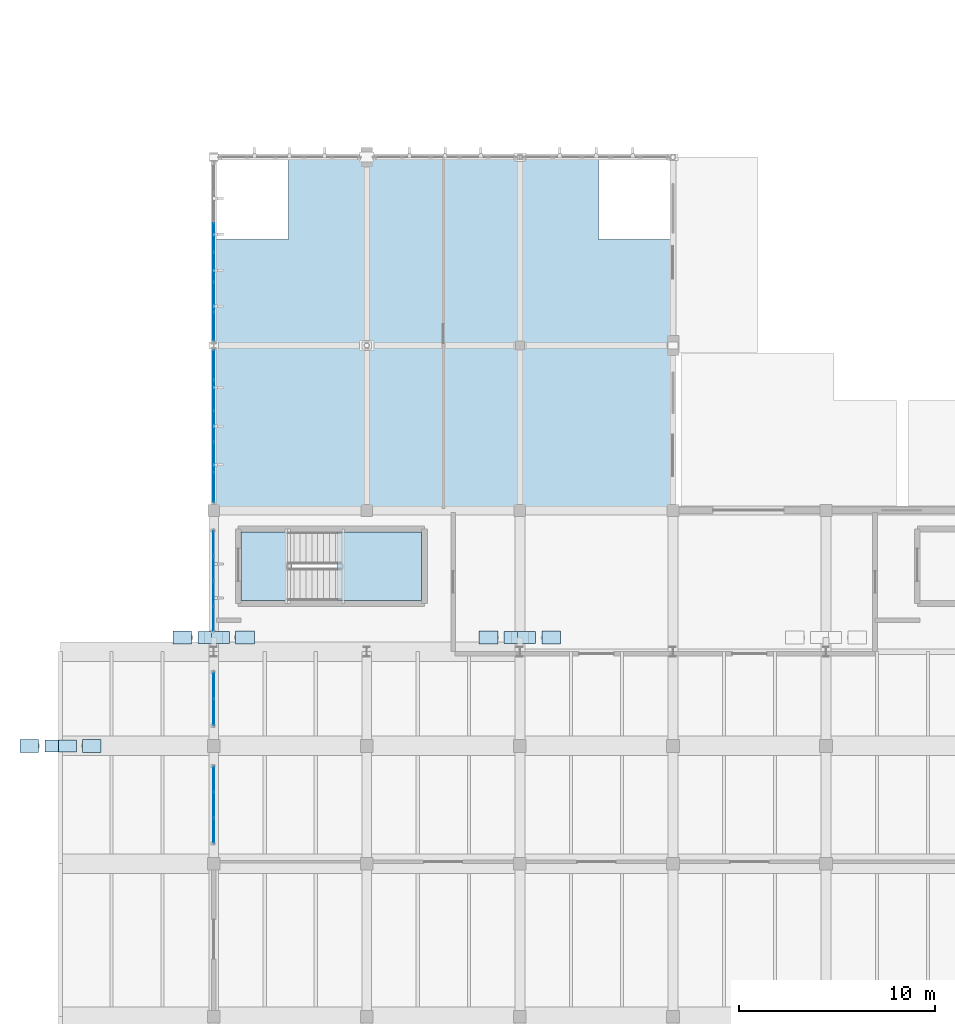
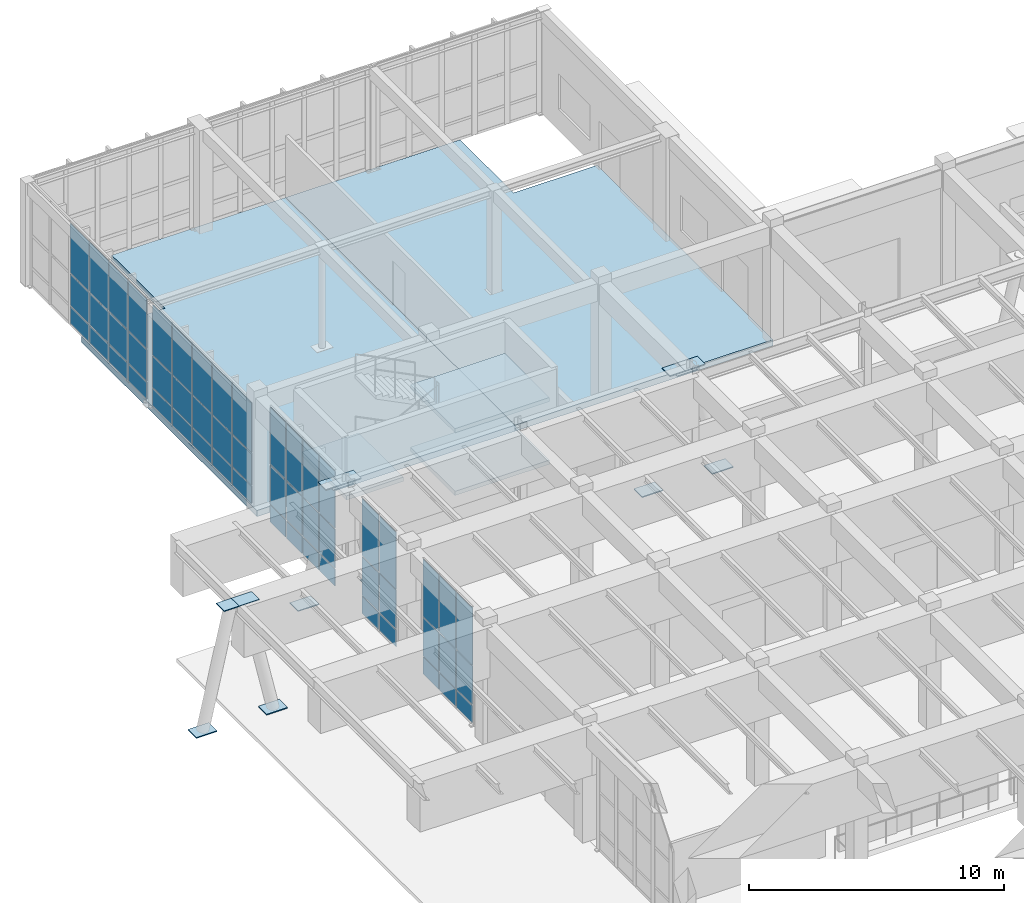
# One storey, part 66 of 110: 68 plates, 5 slabs, 6 elements without a shape of their own.
"""IFC4 building model written with IfcOpenShell, lengths in metres."""

import ifcopenshell
import ifcopenshell.guid

model = None  # the IFC model being written
_history = None  # IfcOwnerHistory: only IFC2X3 demands one
_inside = {}  # id of a spatial element -> (the spatial element, [elements in it])
_under = {}  # id of a project, library or spatial element -> (it, [spatial elements below it])
_declared = {}  # id of a project -> (the project, [libraries it declares])
_typed = {}  # id of a type object -> (the type object, [elements of that type])
_made_of = {}  # id of a material, layer set ... -> (it, [elements and type objects made of it])


def new_model(schema):
    """Start an empty IFC model of exactly this schema.

    Asked for "IFC4X3", IfcOpenShell would pick the latest addendum, in which some entities
    have other attributes; the version numbers below select the first issue.
    IFC2X3 requires an IfcOwnerHistory on every rooted entity: one is made here for all.
    """
    global model, _history
    if schema == "IFC4X3":
        model = ifcopenshell.file(schema_version=(4, 3, 0, 0))
    else:
        model = ifcopenshell.file(schema=schema)
    _inside.clear()
    _under.clear()
    _declared.clear()
    _typed.clear()
    _made_of.clear()
    _history = None
    if model.schema == "IFC2X3":
        org = make("IfcOrganization", Name="unknown")
        user = make(
            "IfcPersonAndOrganization",
            ThePerson=make("IfcPerson", FamilyName="unknown"),
            TheOrganization=org,
        )
        app = make(
            "IfcApplication",
            ApplicationDeveloper=org,
            Version="unknown",
            ApplicationFullName="unknown",
            ApplicationIdentifier="unknown",
        )
        _history = make(
            "IfcOwnerHistory",
            OwningUser=user,
            OwningApplication=app,
            ChangeAction="ADDED",
            CreationDate=0,
        )
    return model


def make(cls, **values):
    """One entity of the class cls with the attributes given. An attribute that is None is left unset."""
    return model.create_entity(
        cls, **{name: value for name, value in values.items() if value is not None}
    )


def rooted(cls, **values):
    """An entity with a GlobalId (a new one), such as an element, a storey or a relation."""
    return make(cls, GlobalId=ifcopenshell.guid.new(), OwnerHistory=_history, **values)


def si_unit(unit_type, name, prefix=None):
    """IfcSIUnit, for example si_unit("LENGTHUNIT", "METRE", prefix="MILLI")."""
    return make("IfcSIUnit", UnitType=unit_type, Prefix=prefix, Name=name)


def assignment(units):
    """IfcUnitAssignment: the units of a project."""
    return None if units is None else make("IfcUnitAssignment", Units=units)


def point(xyz):
    """IfcCartesianPoint."""
    return None if xyz is None else make("IfcCartesianPoint", Coordinates=xyz)


def direction(xyz):
    """IfcDirection."""
    return None if xyz is None else make("IfcDirection", DirectionRatios=xyz)


def frame(location, z_axis=None, x_axis=None):
    """IfcAxis2Placement3D, a coordinate frame: its origin and axes. An axis left out is left unset."""
    return make(
        "IfcAxis2Placement3D",
        Location=point(location),
        Axis=direction(z_axis),
        RefDirection=direction(x_axis),
    )


def frame_2d(location, x_axis=None):
    """IfcAxis2Placement2D, a coordinate frame in the plane: its origin and x axis."""
    return make(
        "IfcAxis2Placement2D", Location=point(location), RefDirection=direction(x_axis)
    )


def origin():
    """The frame at (0, 0, 0) with its axes left unset."""
    return frame((0.0, 0.0, 0.0))


def origin_2d():
    """The frame at (0, 0) in the plane with its x axis left unset."""
    return frame_2d((0.0, 0.0))


def place(relative_to, where):
    """IfcLocalPlacement: puts the frame where relative to a parent placement (None: the world)."""
    return make(
        "IfcLocalPlacement", PlacementRelTo=relative_to, RelativePlacement=where
    )


def context(
    kind, dimensions, precision=None, world=None, true_north=None, identifier=None
):
    """IfcGeometricRepresentationContext, for example the 3D "Model" context."""
    return make(
        "IfcGeometricRepresentationContext",
        ContextIdentifier=identifier,
        ContextType=kind,
        CoordinateSpaceDimension=dimensions,
        Precision=precision,
        WorldCoordinateSystem=world,
        TrueNorth=true_north,
    )


def subcontext(parent, identifier, kind, view, scale=None):
    """IfcGeometricRepresentationSubContext, for example "Body" below "Model"."""
    return make(
        "IfcGeometricRepresentationSubContext",
        ContextIdentifier=identifier,
        ContextType=kind,
        ParentContext=parent,
        TargetScale=scale,
        TargetView=view,
    )


def project(units=None, contexts=None):
    """IfcProject with its units and contexts."""
    return rooted(
        "IfcProject",
        Name="project",
        RepresentationContexts=contexts,
        UnitsInContext=assignment(units),
    )


def spatial(cls, under=None, at=None, **own):
    """A site, building, storey or space (cls), placed at a placement, below another one or the project."""
    s = rooted(cls, ObjectPlacement=at, **own)
    if under is not None:
        _under.setdefault(under.id(), (under, []))[1].append(s)
    return s


def polyline(points):
    """IfcPolyline through the points."""
    return make("IfcPolyline", Points=[point(p) for p in points])


def profile(cls, at=None, kind="AREA", **sizes):
    """A parametric profile (cls). Its sizes go by their IFC names, for example OverallWidth=200.0."""
    return make(cls, ProfileType=kind, Position=at, **sizes)


def rectangle(**sizes):
    """IfcRectangleProfileDef."""
    return profile("IfcRectangleProfileDef", **sizes)


def outline(outer, holes=None, kind="AREA"):
    """IfcArbitraryClosedProfileDef: a profile drawn as a closed curve; with holes, ...WithVoids."""
    if holes is None:
        return make("IfcArbitraryClosedProfileDef", ProfileType=kind, OuterCurve=outer)
    return make(
        "IfcArbitraryProfileDefWithVoids",
        ProfileType=kind,
        OuterCurve=outer,
        InnerCurves=holes,
    )


def extrude(swept, where, along, depth):
    """IfcExtrudedAreaSolid: the profile swept, set in the frame where, extruded along a direction by depth."""
    return make(
        "IfcExtrudedAreaSolid",
        SweptArea=swept,
        Position=where,
        ExtrudedDirection=direction(along),
        Depth=depth,
    )


def shape(context_of_items, identifier, shape_type, items):
    """IfcShapeRepresentation: the items that make up one representation, for example the "Body"."""
    return make(
        "IfcShapeRepresentation",
        ContextOfItems=context_of_items,
        RepresentationIdentifier=identifier,
        RepresentationType=shape_type,
        Items=items,
    )


def material(Name=None, Category=None):
    """IfcMaterial."""
    return make("IfcMaterial", Name=Name, Category=Category)


def layer(
    of_material, thickness, ventilated=None, Name=None, Category=None, Priority=None
):
    """IfcMaterialLayer: one layer of a wall or slab, of a material (None: an air gap)."""
    return make(
        "IfcMaterialLayer",
        Material=of_material,
        LayerThickness=thickness,
        IsVentilated=ventilated,
        Name=Name,
        Category=Category,
        Priority=Priority,
    )


def layer_set(layers, Name=None):
    """IfcMaterialLayerSet."""
    return make("IfcMaterialLayerSet", MaterialLayers=layers, LayerSetName=Name)


def made_of(thing, what):
    """Note that an element or type object is made of a material, layer set ...; save() writes the relation."""
    if what is not None:
        _made_of.setdefault(what.id(), (what, []))[1].append(thing)
    return thing


def type_object(cls, material=None, **own):
    """A type object (cls), such as IfcWallType, which elements share."""
    return made_of(rooted(cls, **own), material)


def element(
    cls,
    number,
    at=None,
    inside=None,
    cuts=None,
    type_object=None,
    material=None,
    context=None,
    identifier="Body",
    shape_type=None,
    held_by="IfcProductDefinitionShape",
    body=None,
    shapes=None,
    **own,
):
    """One element of the class cls, such as IfcWall. Its Tag is "e" and its number.

    at: its placement. inside: the storey or other place that contains it. cuts: it is an
    opening in that element (IfcRelVoidsElement). A single representation is given by context,
    identifier, shape_type and body (its items); several are given by shapes. held_by: the class
    of the entity that holds the representations. save() writes the other relations.
    """
    e = rooted(cls, Tag="e%d" % number, ObjectPlacement=at, **own)
    if body is not None:
        shapes = [shape(context, identifier, shape_type, body)]
    if shapes is not None:
        e.Representation = make(held_by, Representations=shapes)
    if inside is not None:
        _inside.setdefault(inside.id(), (inside, []))[1].append(e)
    if cuts is not None:
        rooted(
            "IfcRelVoidsElement", RelatingBuildingElement=cuts, RelatedOpeningElement=e
        )
    if type_object is not None:
        _typed.setdefault(type_object.id(), (type_object, []))[1].append(e)
    return made_of(e, material)


def aggregate(whole, parts):
    """IfcRelAggregates: a whole, such as a stair, and the parts it consists of."""
    return rooted("IfcRelAggregates", RelatingObject=whole, RelatedObjects=parts)


def save(model, path):
    """Write the relations noted so far, then the file.

    IfcRelAggregates (storeys below a building ...), IfcRelContainedInSpatialStructure (elements
    in a storey), IfcRelDefinesByType, IfcRelAssociatesMaterial and IfcRelDeclares: one each for
    every whole, place, type object, material and project.
    """
    for whole, parts in _under.values():
        aggregate(whole, parts)
    for where, things in _inside.values():
        rooted(
            "IfcRelContainedInSpatialStructure",
            RelatedElements=things,
            RelatingStructure=where,
        )
    for kind, things in _typed.values():
        rooted("IfcRelDefinesByType", RelatedObjects=things, RelatingType=kind)
    for what, things in _made_of.values():
        rooted("IfcRelAssociatesMaterial", RelatedObjects=things, RelatingMaterial=what)
    for by, libraries in _declared.values():
        rooted("IfcRelDeclares", RelatingContext=by, RelatedDefinitions=libraries)
    model.write(path)


model = new_model("IFC4")

# Units and contexts
model_context = context("Model", 3, precision=1e-05, world=origin(), true_north=direction((0.0, 1.0)))
body_context = subcontext(model_context, "Body", "Model", "MODEL_VIEW")
ifc_project = project(units=[si_unit("LENGTHUNIT", "METRE"), si_unit("AREAUNIT", "SQUARE_METRE"), si_unit("VOLUMEUNIT", "CUBIC_METRE"), si_unit("PLANEANGLEUNIT", "RADIAN"), si_unit("MASSUNIT", "GRAM", prefix="KILO")], contexts=[model_context])

# Site, building, storey
site_placement = place(None, origin())
site = spatial("IfcSite", under=ifc_project, at=site_placement, CompositionType="ELEMENT")
building_placement = place(site_placement, origin())
building = spatial("IfcBuilding", under=site, at=building_placement, Name="Tizgana Railside Sports Hall", CompositionType="ELEMENT")
storey_placement = place(building_placement, origin())
storey = spatial("IfcBuildingStorey", under=building, at=storey_placement, Name="L00", CompositionType="ELEMENT", Elevation=0.0)

# Stair, slabs
ifc_material_1 = material(Name="Concrete C35/45", Category="concrete")
stair_type = type_object("IfcStairType", Name="Spectator Aisle Stair 1400", PredefinedType="HALF_TURN_STAIR", material=ifc_material_1)
stair_placement = place(storey_placement, origin())
stair = element("IfcStair", 1, at=stair_placement, inside=storey, type_object=stair_type, Name="L00 Core Stair ST-07", PredefinedType="HALF_TURN_STAIR")
ifc_layer_1 = layer(ifc_material_1, 0.199951171875, Name="Concrete C35/45")
ifc_layer_set_1 = layer_set([ifc_layer_1], Name="Concrete C35/45")
slab_type_1 = type_object("IfcSlabType", Name="Core Stair Landing Slab 200", PredefinedType="LANDING", material=ifc_layer_set_1)
slab_1_placement = place(storey_placement, frame((0.0, 0.0, 1.300048828125)))
slab_1 = element("IfcSlab", 2, at=slab_1_placement, type_object=slab_type_1, Name="ST-07 landing 1", PredefinedType="LANDING", context=body_context, shape_type="SweptSolid", body=[
    extrude(outline(polyline([(14.1201171875, 75.800048828125), (18.39990234375, 75.800048828125), (18.39990234375, 79.300048828125), (14.1201171875, 79.300048828125), (14.1201171875, 75.800048828125)])), origin(), (0.0, 0.0, 1.0), 0.199951171875),
])
slab_2_placement = place(storey_placement, frame((0.0, 0.0, 2.800048828125)))
slab_2 = element("IfcSlab", 3, at=slab_2_placement, type_object=slab_type_1, Name="ST-07 landing 2", PredefinedType="LANDING", context=body_context, shape_type="SweptSolid", body=[
    extrude(outline(polyline([(9.199951171875, 75.800048828125), (11.780029296875, 75.800048828125), (11.780029296875, 79.300048828125), (9.199951171875, 79.300048828125), (9.199951171875, 75.800048828125)])), origin(), (0.0, 0.0, 1.0), 0.199951171875),
])
slab_3_placement = place(storey_placement, frame((0.0, 0.0, 4.300048828125)))
slab_3 = element("IfcSlab", 4, at=slab_3_placement, type_object=slab_type_1, Name="ST-07 landing 3", PredefinedType="LANDING", context=body_context, shape_type="SweptSolid", body=[
    extrude(outline(polyline([(14.1201171875, 75.800048828125), (18.39990234375, 75.800048828125), (18.39990234375, 79.300048828125), (14.1201171875, 79.300048828125), (14.1201171875, 75.800048828125)])), origin(), (0.0, 0.0, 1.0), 0.199951171875),
])
aggregate(stair, [slab_1, slab_2, slab_3])

# Slabs
ifc_layer_2 = layer(ifc_material_1, 0.2900390625, Name="Concrete C35/45")
ifc_layer_set_2 = layer_set([ifc_layer_2], Name="Concrete C35/45")
slab_type_2 = type_object("IfcSlabType", Name="Ground Bearing Wing Slab 290", PredefinedType="BASESLAB", material=ifc_layer_set_2)
slab_4_placement = place(storey_placement, frame((0.0, 0.0, -0.2900390625)))
element("IfcSlab", 5, at=slab_4_placement, inside=storey, type_object=slab_type_2, Name="L00 NW Cycle Wing West Floor SLB-0107", PredefinedType="BASESLAB", context=body_context, shape_type="SweptSolid", body=[
    extrude(outline(polyline([(7.800048828125, 80.39990234375), (19.5, 80.39990234375), (19.5, 98.39990234375), (11.60009765625, 98.39990234375), (11.60009765625, 94.199951171875), (7.800048828125, 94.199951171875), (7.800048828125, 80.39990234375)])), origin(), (0.0, 0.0, 1.0), 0.2900390625),
])
slab_5_placement = place(storey_placement, frame((0.0, 0.0, -0.2900390625)))
element("IfcSlab", 6, at=slab_5_placement, inside=storey, type_object=slab_type_2, Name="L00 NW Cycle Wing East Floor SLB-0109", PredefinedType="BASESLAB", context=body_context, shape_type="SweptSolid", body=[
    extrude(outline(polyline([(19.5, 80.39990234375), (31.199951171875, 80.39990234375), (31.199951171875, 94.199951171875), (27.39990234375, 94.199951171875), (27.39990234375, 98.39990234375), (19.5, 98.39990234375), (19.5, 80.39990234375)])), origin(), (0.0, 0.0, 1.0), 0.2900390625),
])

# Curtain wall, plates
ifc_material_2 = material(Name="Anodised aluminium and glass", Category="aluminium")
curtain_wall_type_1 = type_object("IfcCurtainWallType", Name="Unitised Curtain Wall WestHall 1560", PredefinedType="NOTDEFINED", material=ifc_material_2)
curtain_wall_1_placement = place(storey_placement, origin())
curtain_wall_1 = element("IfcCurtainWall", 7, at=curtain_wall_1_placement, inside=storey, type_object=curtain_wall_type_1, Name="L00 Curtain Wall CW-0006", PredefinedType="NOTDEFINED")
ifc_material_3 = material(Name="Double low-E laminated glass", Category="glass")
ifc_layer_3 = layer(ifc_material_3, 0.0400390625, Name="Double low-E laminated glass")
ifc_layer_set_3 = layer_set([ifc_layer_3], Name="Double low-E laminated glass")
plate_type_1 = type_object("IfcPlateType", Name="High-Span Tempered Glazing Panel 40", PredefinedType="CURTAIN_PANEL", material=ifc_layer_set_3)
plate_1_placement = place(storey_placement, frame((7.800048828125, 66.71826171875, 0.10498046875), z_axis=(0.0, 0.0, 1.0), x_axis=(0.0, -1.0, 0.0)))
plate_1 = element("IfcPlate", 8, at=plate_1_placement, type_object=plate_type_1, Name="CW-07 panel 1.1", PredefinedType="CURTAIN_PANEL", context=body_context, shape_type="SweptSolid", body=[
    extrude(rectangle(XDim=1.243408203125, YDim=0.0400390625, at=origin_2d()), origin(), (0.0, 0.0, 1.0), 0.81005859375),
])
plate_2_placement = place(storey_placement, frame((7.800048828125, 66.71826171875, 0.97509765625), z_axis=(0.0, 0.0, 1.0), x_axis=(0.0, -1.0, 0.0)))
plate_2 = element("IfcPlate", 9, at=plate_2_placement, type_object=plate_type_1, Name="CW-07 panel 1.2", PredefinedType="CURTAIN_PANEL", context=body_context, shape_type="SweptSolid", body=[
    extrude(rectangle(XDim=1.243408203125, YDim=0.0400390625, at=origin_2d()), origin(), (0.0, 0.0, 1.0), 1.842529296875),
])
plate_3_placement = place(storey_placement, frame((7.800048828125, 66.71826171875, 2.87744140625), z_axis=(0.0, 0.0, 1.0), x_axis=(0.0, -1.0, 0.0)))
plate_3 = element("IfcPlate", 10, at=plate_3_placement, type_object=plate_type_1, Name="CW-07 panel 1.3", PredefinedType="CURTAIN_PANEL", context=body_context, shape_type="SweptSolid", body=[
    extrude(rectangle(XDim=1.243408203125, YDim=0.0400390625, at=origin_2d()), origin(), (0.0, 0.0, 1.0), 2.71240234375),
])
plate_4_placement = place(storey_placement, frame((7.800048828125, 65.39990234375, 0.10498046875), z_axis=(0.0, 0.0, 1.0), x_axis=(0.0, -1.0, 0.0)))
plate_4 = element("IfcPlate", 11, at=plate_4_placement, type_object=plate_type_1, Name="CW-07 panel 2.1", PredefinedType="CURTAIN_PANEL", context=body_context, shape_type="SweptSolid", body=[
    extrude(rectangle(XDim=1.2734375, YDim=0.0400390625, at=origin_2d()), origin(), (0.0, 0.0, 1.0), 0.81005859375),
])
plate_5_placement = place(storey_placement, frame((7.800048828125, 65.39990234375, 0.97509765625), z_axis=(0.0, 0.0, 1.0), x_axis=(0.0, -1.0, 0.0)))
plate_5 = element("IfcPlate", 12, at=plate_5_placement, type_object=plate_type_1, Name="CW-07 panel 2.2", PredefinedType="CURTAIN_PANEL", context=body_context, shape_type="SweptSolid", body=[
    extrude(rectangle(XDim=1.2734375, YDim=0.0400390625, at=origin_2d()), origin(), (0.0, 0.0, 1.0), 1.842529296875),
])
plate_6_placement = place(storey_placement, frame((7.800048828125, 65.39990234375, 2.87744140625), z_axis=(0.0, 0.0, 1.0), x_axis=(0.0, -1.0, 0.0)))
plate_6 = element("IfcPlate", 13, at=plate_6_placement, type_object=plate_type_1, Name="CW-07 panel 2.3", PredefinedType="CURTAIN_PANEL", context=body_context, shape_type="SweptSolid", body=[
    extrude(rectangle(XDim=1.2734375, YDim=0.0400390625, at=origin_2d()), origin(), (0.0, 0.0, 1.0), 2.71240234375),
])
plate_7_placement = place(storey_placement, frame((7.800048828125, 64.081787109375, 0.10498046875), z_axis=(0.0, 0.0, 1.0), x_axis=(0.0, -1.0, 0.0)))
plate_7 = element("IfcPlate", 14, at=plate_7_placement, type_object=plate_type_1, Name="CW-07 panel 3.1", PredefinedType="CURTAIN_PANEL", context=body_context, shape_type="SweptSolid", body=[
    extrude(rectangle(XDim=1.243408203125, YDim=0.0400390625, at=origin_2d()), origin(), (0.0, 0.0, 1.0), 0.81005859375),
])
plate_8_placement = place(storey_placement, frame((7.800048828125, 64.081787109375, 0.97509765625), z_axis=(0.0, 0.0, 1.0), x_axis=(0.0, -1.0, 0.0)))
plate_8 = element("IfcPlate", 15, at=plate_8_placement, type_object=plate_type_1, Name="CW-07 panel 3.2", PredefinedType="CURTAIN_PANEL", context=body_context, shape_type="SweptSolid", body=[
    extrude(rectangle(XDim=1.243408203125, YDim=0.0400390625, at=origin_2d()), origin(), (0.0, 0.0, 1.0), 1.842529296875),
])
plate_9_placement = place(storey_placement, frame((7.800048828125, 64.081787109375, 2.87744140625), z_axis=(0.0, 0.0, 1.0), x_axis=(0.0, -1.0, 0.0)))
plate_9 = element("IfcPlate", 16, at=plate_9_placement, type_object=plate_type_1, Name="CW-07 panel 3.3", PredefinedType="CURTAIN_PANEL", context=body_context, shape_type="SweptSolid", body=[
    extrude(rectangle(XDim=1.243408203125, YDim=0.0400390625, at=origin_2d()), origin(), (0.0, 0.0, 1.0), 2.71240234375),
])
aggregate(curtain_wall_1, [plate_1, plate_2, plate_3, plate_4, plate_5, plate_6, plate_7, plate_8, plate_9])

curtain_wall_2_placement = place(storey_placement, origin())
curtain_wall_2 = element("IfcCurtainWall", 17, at=curtain_wall_2_placement, inside=storey, type_object=curtain_wall_type_1, Name="L00 Curtain Wall CW-0150", PredefinedType="NOTDEFINED")
plate_10_placement = place(storey_placement, frame((7.800048828125, 87.822998046875, 0.10498046875), z_axis=(0.0, 0.0, 1.0), x_axis=(0.0, -1.0, 0.0)))
plate_10 = element("IfcPlate", 18, at=plate_10_placement, type_object=plate_type_1, Name="CW-07 panel 1.1", PredefinedType="CURTAIN_PANEL", context=body_context, shape_type="SweptSolid", body=[
    extrude(rectangle(XDim=1.48388671875, YDim=0.0400390625, at=origin_2d()), origin(), (0.0, 0.0, 1.0), 0.81005859375),
])
plate_11_placement = place(storey_placement, frame((7.800048828125, 87.822998046875, 0.974853515625), z_axis=(0.0, 0.0, 1.0), x_axis=(0.0, -1.0, 0.0)))
plate_11 = element("IfcPlate", 19, at=plate_11_placement, type_object=plate_type_1, Name="CW-07 panel 1.2", PredefinedType="CURTAIN_PANEL", context=body_context, shape_type="SweptSolid", body=[
    extrude(rectangle(XDim=1.48388671875, YDim=0.0400390625, at=origin_2d()), origin(), (0.0, 0.0, 1.0), 1.49755859375),
])
plate_12_placement = place(storey_placement, frame((7.800048828125, 87.822998046875, 2.53271484375), z_axis=(0.0, 0.0, 1.0), x_axis=(0.0, -1.0, 0.0)))
plate_12 = element("IfcPlate", 20, at=plate_12_placement, type_object=plate_type_1, Name="CW-07 panel 1.3", PredefinedType="CURTAIN_PANEL", context=body_context, shape_type="SweptSolid", body=[
    extrude(rectangle(XDim=1.48388671875, YDim=0.0400390625, at=origin_2d()), origin(), (0.0, 0.0, 1.0), 2.367431640625),
])
plate_13_placement = place(storey_placement, frame((7.800048828125, 86.263916015625, 0.10498046875), z_axis=(0.0, 0.0, 1.0), x_axis=(0.0, -1.0, 0.0)))
plate_13 = element("IfcPlate", 21, at=plate_13_placement, type_object=plate_type_1, Name="CW-07 panel 2.1", PredefinedType="CURTAIN_PANEL", context=body_context, shape_type="SweptSolid", body=[
    extrude(rectangle(XDim=1.513916015625, YDim=0.0400390625, at=origin_2d()), origin(), (0.0, 0.0, 1.0), 0.81005859375),
])
plate_14_placement = place(storey_placement, frame((7.800048828125, 86.263916015625, 0.974853515625), z_axis=(0.0, 0.0, 1.0), x_axis=(0.0, -1.0, 0.0)))
plate_14 = element("IfcPlate", 22, at=plate_14_placement, type_object=plate_type_1, Name="CW-07 panel 2.2", PredefinedType="CURTAIN_PANEL", context=body_context, shape_type="SweptSolid", body=[
    extrude(rectangle(XDim=1.513916015625, YDim=0.0400390625, at=origin_2d()), origin(), (0.0, 0.0, 1.0), 1.49755859375),
])
plate_15_placement = place(storey_placement, frame((7.800048828125, 86.263916015625, 2.53271484375), z_axis=(0.0, 0.0, 1.0), x_axis=(0.0, -1.0, 0.0)))
plate_15 = element("IfcPlate", 23, at=plate_15_placement, type_object=plate_type_1, Name="CW-07 panel 2.3", PredefinedType="CURTAIN_PANEL", context=body_context, shape_type="SweptSolid", body=[
    extrude(rectangle(XDim=1.513916015625, YDim=0.0400390625, at=origin_2d()), origin(), (0.0, 0.0, 1.0), 2.367431640625),
])
plate_16_placement = place(storey_placement, frame((7.800048828125, 84.68994140625, 0.10498046875), z_axis=(0.0, 0.0, 1.0), x_axis=(0.0, -1.0, 0.0)))
plate_16 = element("IfcPlate", 24, at=plate_16_placement, type_object=plate_type_1, Name="CW-07 panel 3.1", PredefinedType="CURTAIN_PANEL", context=body_context, shape_type="SweptSolid", body=[
    extrude(rectangle(XDim=1.513916015625, YDim=0.0400390625, at=origin_2d()), origin(), (0.0, 0.0, 1.0), 0.81005859375),
])
plate_17_placement = place(storey_placement, frame((7.800048828125, 84.68994140625, 0.974853515625), z_axis=(0.0, 0.0, 1.0), x_axis=(0.0, -1.0, 0.0)))
plate_17 = element("IfcPlate", 25, at=plate_17_placement, type_object=plate_type_1, Name="CW-07 panel 3.2", PredefinedType="CURTAIN_PANEL", context=body_context, shape_type="SweptSolid", body=[
    extrude(rectangle(XDim=1.513916015625, YDim=0.0400390625, at=origin_2d()), origin(), (0.0, 0.0, 1.0), 1.49755859375),
])
plate_18_placement = place(storey_placement, frame((7.800048828125, 84.68994140625, 2.53271484375), z_axis=(0.0, 0.0, 1.0), x_axis=(0.0, -1.0, 0.0)))
plate_18 = element("IfcPlate", 26, at=plate_18_placement, type_object=plate_type_1, Name="CW-07 panel 3.3", PredefinedType="CURTAIN_PANEL", context=body_context, shape_type="SweptSolid", body=[
    extrude(rectangle(XDim=1.513916015625, YDim=0.0400390625, at=origin_2d()), origin(), (0.0, 0.0, 1.0), 2.367431640625),
])
plate_19_placement = place(storey_placement, frame((7.800048828125, 83.115966796875, 0.10498046875), z_axis=(0.0, 0.0, 1.0), x_axis=(0.0, -1.0, 0.0)))
plate_19 = element("IfcPlate", 27, at=plate_19_placement, type_object=plate_type_1, Name="CW-07 panel 4.1", PredefinedType="CURTAIN_PANEL", context=body_context, shape_type="SweptSolid", body=[
    extrude(rectangle(XDim=1.513916015625, YDim=0.0400390625, at=origin_2d()), origin(), (0.0, 0.0, 1.0), 0.81005859375),
])
plate_20_placement = place(storey_placement, frame((7.800048828125, 83.115966796875, 0.974853515625), z_axis=(0.0, 0.0, 1.0), x_axis=(0.0, -1.0, 0.0)))
plate_20 = element("IfcPlate", 28, at=plate_20_placement, type_object=plate_type_1, Name="CW-07 panel 4.2", PredefinedType="CURTAIN_PANEL", context=body_context, shape_type="SweptSolid", body=[
    extrude(rectangle(XDim=1.513916015625, YDim=0.0400390625, at=origin_2d()), origin(), (0.0, 0.0, 1.0), 1.49755859375),
])
plate_21_placement = place(storey_placement, frame((7.800048828125, 83.115966796875, 2.53271484375), z_axis=(0.0, 0.0, 1.0), x_axis=(0.0, -1.0, 0.0)))
plate_21 = element("IfcPlate", 29, at=plate_21_placement, type_object=plate_type_1, Name="CW-07 panel 4.3", PredefinedType="CURTAIN_PANEL", context=body_context, shape_type="SweptSolid", body=[
    extrude(rectangle(XDim=1.513916015625, YDim=0.0400390625, at=origin_2d()), origin(), (0.0, 0.0, 1.0), 2.367431640625),
])
plate_22_placement = place(storey_placement, frame((7.800048828125, 81.556884765625, 0.10498046875), z_axis=(0.0, 0.0, 1.0), x_axis=(0.0, -1.0, 0.0)))
plate_22 = element("IfcPlate", 30, at=plate_22_placement, type_object=plate_type_1, Name="CW-07 panel 5.1", PredefinedType="CURTAIN_PANEL", context=body_context, shape_type="SweptSolid", body=[
    extrude(rectangle(XDim=1.48388671875, YDim=0.0400390625, at=origin_2d()), origin(), (0.0, 0.0, 1.0), 0.81005859375),
])
plate_23_placement = place(storey_placement, frame((7.800048828125, 81.556884765625, 0.974853515625), z_axis=(0.0, 0.0, 1.0), x_axis=(0.0, -1.0, 0.0)))
plate_23 = element("IfcPlate", 31, at=plate_23_placement, type_object=plate_type_1, Name="CW-07 panel 5.2", PredefinedType="CURTAIN_PANEL", context=body_context, shape_type="SweptSolid", body=[
    extrude(rectangle(XDim=1.48388671875, YDim=0.0400390625, at=origin_2d()), origin(), (0.0, 0.0, 1.0), 1.49755859375),
])
plate_24_placement = place(storey_placement, frame((7.800048828125, 81.556884765625, 2.53271484375), z_axis=(0.0, 0.0, 1.0), x_axis=(0.0, -1.0, 0.0)))
plate_24 = element("IfcPlate", 32, at=plate_24_placement, type_object=plate_type_1, Name="CW-07 panel 5.3", PredefinedType="CURTAIN_PANEL", context=body_context, shape_type="SweptSolid", body=[
    extrude(rectangle(XDim=1.48388671875, YDim=0.0400390625, at=origin_2d()), origin(), (0.0, 0.0, 1.0), 2.367431640625),
])
aggregate(curtain_wall_2, [plate_10, plate_11, plate_12, plate_13, plate_14, plate_15, plate_16, plate_17, plate_18, plate_19, plate_20, plate_21, plate_22, plate_23, plate_24])

curtain_wall_type_2 = type_object("IfcCurtainWallType", Name="Unitised Curtain Wall EastHall 1500", PredefinedType="NOTDEFINED", material=ifc_material_2)
curtain_wall_3_placement = place(storey_placement, origin())
curtain_wall_3 = element("IfcCurtainWall", 33, at=curtain_wall_3_placement, inside=storey, type_object=curtain_wall_type_2, Name="L00 Curtain Wall CW-0007", PredefinedType="NOTDEFINED")
ifc_layer_4 = layer(ifc_material_3, 0.031982421875, Name="Double low-E laminated glass")
ifc_layer_set_4 = layer_set([ifc_layer_4], Name="Double low-E laminated glass")
plate_type_2 = type_object("IfcPlateType", Name="North-Light Clerestory Glazing Panel 32", PredefinedType="CURTAIN_PANEL", material=ifc_layer_set_4)
plate_25_placement = place(storey_placement, frame((7.800048828125, 71.485107421875, 0.10498046875), z_axis=(0.0, 0.0, 1.0), x_axis=(0.0, -1.0, 0.0)))
plate_25 = element("IfcPlate", 34, at=plate_25_placement, type_object=plate_type_2, Name="CW-08 panel 1.1", PredefinedType="CURTAIN_PANEL", context=body_context, shape_type="SweptSolid", body=[
    extrude(rectangle(XDim=1.31005859375, YDim=0.031982421875, at=origin_2d()), origin(), (0.0, 0.0, 1.0), 0.81005859375),
])
plate_26_placement = place(storey_placement, frame((7.800048828125, 71.485107421875, 0.97509765625), z_axis=(0.0, 0.0, 1.0), x_axis=(0.0, -1.0, 0.0)))
plate_26 = element("IfcPlate", 35, at=plate_26_placement, type_object=plate_type_2, Name="CW-08 panel 1.2", PredefinedType="CURTAIN_PANEL", context=body_context, shape_type="SweptSolid", body=[
    extrude(rectangle(XDim=1.31005859375, YDim=0.031982421875, at=origin_2d()), origin(), (0.0, 0.0, 1.0), 1.842529296875),
])
plate_27_placement = place(storey_placement, frame((7.800048828125, 71.485107421875, 2.87744140625), z_axis=(0.0, 0.0, 1.0), x_axis=(0.0, -1.0, 0.0)))
plate_27 = element("IfcPlate", 36, at=plate_27_placement, type_object=plate_type_2, Name="CW-08 panel 1.3", PredefinedType="CURTAIN_PANEL", context=body_context, shape_type="SweptSolid", body=[
    extrude(rectangle(XDim=1.31005859375, YDim=0.031982421875, at=origin_2d()), origin(), (0.0, 0.0, 1.0), 2.71240234375),
])
plate_28_placement = place(storey_placement, frame((7.800048828125, 70.114990234375, 0.10498046875), z_axis=(0.0, 0.0, 1.0), x_axis=(0.0, -1.0, 0.0)))
plate_28 = element("IfcPlate", 37, at=plate_28_placement, type_object=plate_type_2, Name="CW-08 panel 2.1", PredefinedType="CURTAIN_PANEL", context=body_context, shape_type="SweptSolid", body=[
    extrude(rectangle(XDim=1.31005859375, YDim=0.031982421875, at=origin_2d()), origin(), (0.0, 0.0, 1.0), 0.81005859375),
])
plate_29_placement = place(storey_placement, frame((7.800048828125, 70.114990234375, 0.97509765625), z_axis=(0.0, 0.0, 1.0), x_axis=(0.0, -1.0, 0.0)))
plate_29 = element("IfcPlate", 38, at=plate_29_placement, type_object=plate_type_2, Name="CW-08 panel 2.2", PredefinedType="CURTAIN_PANEL", context=body_context, shape_type="SweptSolid", body=[
    extrude(rectangle(XDim=1.31005859375, YDim=0.031982421875, at=origin_2d()), origin(), (0.0, 0.0, 1.0), 1.842529296875),
])
plate_30_placement = place(storey_placement, frame((7.800048828125, 70.114990234375, 2.87744140625), z_axis=(0.0, 0.0, 1.0), x_axis=(0.0, -1.0, 0.0)))
plate_30 = element("IfcPlate", 39, at=plate_30_placement, type_object=plate_type_2, Name="CW-08 panel 2.3", PredefinedType="CURTAIN_PANEL", context=body_context, shape_type="SweptSolid", body=[
    extrude(rectangle(XDim=1.31005859375, YDim=0.031982421875, at=origin_2d()), origin(), (0.0, 0.0, 1.0), 2.71240234375),
])
aggregate(curtain_wall_3, [plate_25, plate_26, plate_27, plate_28, plate_29, plate_30])

curtain_wall_4_placement = place(storey_placement, origin())
curtain_wall_4 = element("IfcCurtainWall", 40, at=curtain_wall_4_placement, inside=storey, type_object=curtain_wall_type_2, Name="L00 Curtain Wall CW-0151", PredefinedType="NOTDEFINED")
plate_31_placement = place(storey_placement, frame((7.800048828125, 94.3095703125, 0.10498046875), z_axis=(0.0, 0.0, 1.0), x_axis=(0.0, -1.0, 0.0)))
plate_31 = element("IfcPlate", 41, at=plate_31_placement, type_object=plate_type_2, Name="CW-08 panel 3.1", PredefinedType="CURTAIN_PANEL", context=body_context, shape_type="SweptSolid", body=[
    extrude(rectangle(XDim=1.464111328125, YDim=0.031982421875, at=origin_2d()), origin(), (0.0, 0.0, 1.0), 0.81005859375),
])
plate_32_placement = place(storey_placement, frame((7.800048828125, 94.3095703125, 0.974853515625), z_axis=(0.0, 0.0, 1.0), x_axis=(0.0, -1.0, 0.0)))
plate_32 = element("IfcPlate", 42, at=plate_32_placement, type_object=plate_type_2, Name="CW-08 panel 3.2", PredefinedType="CURTAIN_PANEL", context=body_context, shape_type="SweptSolid", body=[
    extrude(rectangle(XDim=1.464111328125, YDim=0.031982421875, at=origin_2d()), origin(), (0.0, 0.0, 1.0), 1.49755859375),
])
plate_33_placement = place(storey_placement, frame((7.800048828125, 94.3095703125, 2.53271484375), z_axis=(0.0, 0.0, 1.0), x_axis=(0.0, -1.0, 0.0)))
plate_33 = element("IfcPlate", 43, at=plate_33_placement, type_object=plate_type_2, Name="CW-08 panel 3.3", PredefinedType="CURTAIN_PANEL", context=body_context, shape_type="SweptSolid", body=[
    extrude(rectangle(XDim=1.464111328125, YDim=0.031982421875, at=origin_2d()), origin(), (0.0, 0.0, 1.0), 2.367431640625),
])
plate_34_placement = place(storey_placement, frame((7.800048828125, 92.785400390625, 0.10498046875), z_axis=(0.0, 0.0, 1.0), x_axis=(0.0, -1.0, 0.0)))
plate_34 = element("IfcPlate", 44, at=plate_34_placement, type_object=plate_type_2, Name="CW-08 panel 4.1", PredefinedType="CURTAIN_PANEL", context=body_context, shape_type="SweptSolid", body=[
    extrude(rectangle(XDim=1.464111328125, YDim=0.031982421875, at=origin_2d()), origin(), (0.0, 0.0, 1.0), 0.81005859375),
])
plate_35_placement = place(storey_placement, frame((7.800048828125, 92.785400390625, 0.974853515625), z_axis=(0.0, 0.0, 1.0), x_axis=(0.0, -1.0, 0.0)))
plate_35 = element("IfcPlate", 45, at=plate_35_placement, type_object=plate_type_2, Name="CW-08 panel 4.2", PredefinedType="CURTAIN_PANEL", context=body_context, shape_type="SweptSolid", body=[
    extrude(rectangle(XDim=1.464111328125, YDim=0.031982421875, at=origin_2d()), origin(), (0.0, 0.0, 1.0), 1.49755859375),
])
plate_36_placement = place(storey_placement, frame((7.800048828125, 92.785400390625, 2.53271484375), z_axis=(0.0, 0.0, 1.0), x_axis=(0.0, -1.0, 0.0)))
plate_36 = element("IfcPlate", 46, at=plate_36_placement, type_object=plate_type_2, Name="CW-08 panel 4.3", PredefinedType="CURTAIN_PANEL", context=body_context, shape_type="SweptSolid", body=[
    extrude(rectangle(XDim=1.464111328125, YDim=0.031982421875, at=origin_2d()), origin(), (0.0, 0.0, 1.0), 2.367431640625),
])
plate_37_placement = place(storey_placement, frame((7.800048828125, 91.26123046875, 0.10498046875), z_axis=(0.0, 0.0, 1.0), x_axis=(0.0, -1.0, 0.0)))
plate_37 = element("IfcPlate", 47, at=plate_37_placement, type_object=plate_type_2, Name="CW-08 panel 5.1", PredefinedType="CURTAIN_PANEL", context=body_context, shape_type="SweptSolid", body=[
    extrude(rectangle(XDim=1.464111328125, YDim=0.031982421875, at=origin_2d()), origin(), (0.0, 0.0, 1.0), 0.81005859375),
])
plate_38_placement = place(storey_placement, frame((7.800048828125, 91.26123046875, 0.974853515625), z_axis=(0.0, 0.0, 1.0), x_axis=(0.0, -1.0, 0.0)))
plate_38 = element("IfcPlate", 48, at=plate_38_placement, type_object=plate_type_2, Name="CW-08 panel 5.2", PredefinedType="CURTAIN_PANEL", context=body_context, shape_type="SweptSolid", body=[
    extrude(rectangle(XDim=1.464111328125, YDim=0.031982421875, at=origin_2d()), origin(), (0.0, 0.0, 1.0), 1.49755859375),
])
plate_39_placement = place(storey_placement, frame((7.800048828125, 91.26123046875, 2.53271484375), z_axis=(0.0, 0.0, 1.0), x_axis=(0.0, -1.0, 0.0)))
plate_39 = element("IfcPlate", 49, at=plate_39_placement, type_object=plate_type_2, Name="CW-08 panel 5.3", PredefinedType="CURTAIN_PANEL", context=body_context, shape_type="SweptSolid", body=[
    extrude(rectangle(XDim=1.464111328125, YDim=0.031982421875, at=origin_2d()), origin(), (0.0, 0.0, 1.0), 2.367431640625),
])
plate_40_placement = place(storey_placement, frame((7.800048828125, 89.752197265625, 0.10498046875), z_axis=(0.0, 0.0, 1.0), x_axis=(0.0, -1.0, 0.0)))
plate_40 = element("IfcPlate", 50, at=plate_40_placement, type_object=plate_type_2, Name="CW-08 panel 6.1", PredefinedType="CURTAIN_PANEL", context=body_context, shape_type="SweptSolid", body=[
    extrude(rectangle(XDim=1.43408203125, YDim=0.031982421875, at=origin_2d()), origin(), (0.0, 0.0, 1.0), 0.81005859375),
])
plate_41_placement = place(storey_placement, frame((7.800048828125, 89.752197265625, 0.974853515625), z_axis=(0.0, 0.0, 1.0), x_axis=(0.0, -1.0, 0.0)))
plate_41 = element("IfcPlate", 51, at=plate_41_placement, type_object=plate_type_2, Name="CW-08 panel 6.2", PredefinedType="CURTAIN_PANEL", context=body_context, shape_type="SweptSolid", body=[
    extrude(rectangle(XDim=1.43408203125, YDim=0.031982421875, at=origin_2d()), origin(), (0.0, 0.0, 1.0), 1.49755859375),
])
plate_42_placement = place(storey_placement, frame((7.800048828125, 89.752197265625, 2.53271484375), z_axis=(0.0, 0.0, 1.0), x_axis=(0.0, -1.0, 0.0)))
plate_42 = element("IfcPlate", 52, at=plate_42_placement, type_object=plate_type_2, Name="CW-08 panel 6.3", PredefinedType="CURTAIN_PANEL", context=body_context, shape_type="SweptSolid", body=[
    extrude(rectangle(XDim=1.43408203125, YDim=0.031982421875, at=origin_2d()), origin(), (0.0, 0.0, 1.0), 2.367431640625),
])
aggregate(curtain_wall_4, [plate_31, plate_32, plate_33, plate_34, plate_35, plate_36, plate_37, plate_38, plate_39, plate_40, plate_41, plate_42])

curtain_wall_type_3 = type_object("IfcCurtainWallType", Name="Unitised Curtain Wall Concourse 1500", PredefinedType="NOTDEFINED", material=ifc_material_2)
curtain_wall_5_placement = place(storey_placement, origin())
curtain_wall_5 = element("IfcCurtainWall", 53, at=curtain_wall_5_placement, inside=storey, type_object=curtain_wall_type_3, Name="L00 Curtain Wall CW-0008", PredefinedType="NOTDEFINED")
ifc_layer_5 = layer(ifc_material_3, 0.028076171875, Name="Double low-E laminated glass")
ifc_layer_set_5 = layer_set([ifc_layer_5], Name="Double low-E laminated glass")
plate_type_3 = type_object("IfcPlateType", Name="Solar Low-E Glazing Panel 28", PredefinedType="CURTAIN_PANEL", material=ifc_layer_set_5)
plate_43_placement = place(storey_placement, frame((7.800048828125, 78.735107421875, 0.10498046875), z_axis=(0.0, 0.0, 1.0), x_axis=(0.0, -1.0, 0.0)))
plate_43 = element("IfcPlate", 54, at=plate_43_placement, type_object=plate_type_3, Name="CW-01 panel 1.1", PredefinedType="CURTAIN_PANEL", context=body_context, shape_type="SweptSolid", body=[
    extrude(rectangle(XDim=1.2099609375, YDim=0.028076171875, at=origin_2d()), origin(), (0.0, 0.0, 1.0), 0.81005859375),
])
plate_44_placement = place(storey_placement, frame((7.800048828125, 78.735107421875, 0.97509765625), z_axis=(0.0, 0.0, 1.0), x_axis=(0.0, -1.0, 0.0)))
plate_44 = element("IfcPlate", 55, at=plate_44_placement, type_object=plate_type_3, Name="CW-01 panel 1.2", PredefinedType="CURTAIN_PANEL", context=body_context, shape_type="SweptSolid", body=[
    extrude(rectangle(XDim=1.2099609375, YDim=0.028076171875, at=origin_2d()), origin(), (0.0, 0.0, 1.0), 1.842529296875),
])
plate_45_placement = place(storey_placement, frame((7.800048828125, 78.735107421875, 2.87744140625), z_axis=(0.0, 0.0, 1.0), x_axis=(0.0, -1.0, 0.0)))
plate_45 = element("IfcPlate", 56, at=plate_45_placement, type_object=plate_type_3, Name="CW-01 panel 1.3", PredefinedType="CURTAIN_PANEL", context=body_context, shape_type="SweptSolid", body=[
    extrude(rectangle(XDim=1.2099609375, YDim=0.028076171875, at=origin_2d()), origin(), (0.0, 0.0, 1.0), 2.71240234375),
])
plate_46_placement = place(storey_placement, frame((7.800048828125, 77.449951171875, 0.10498046875), z_axis=(0.0, 0.0, 1.0), x_axis=(0.0, -1.0, 0.0)))
plate_46 = element("IfcPlate", 57, at=plate_46_placement, type_object=plate_type_3, Name="CW-01 panel 2.1", PredefinedType="CURTAIN_PANEL", context=body_context, shape_type="SweptSolid", body=[
    extrude(rectangle(XDim=1.239990234375, YDim=0.028076171875, at=origin_2d()), origin(), (0.0, 0.0, 1.0), 0.81005859375),
])
plate_47_placement = place(storey_placement, frame((7.800048828125, 77.449951171875, 0.97509765625), z_axis=(0.0, 0.0, 1.0), x_axis=(0.0, -1.0, 0.0)))
plate_47 = element("IfcPlate", 58, at=plate_47_placement, type_object=plate_type_3, Name="CW-01 panel 2.2", PredefinedType="CURTAIN_PANEL", context=body_context, shape_type="SweptSolid", body=[
    extrude(rectangle(XDim=1.239990234375, YDim=0.028076171875, at=origin_2d()), origin(), (0.0, 0.0, 1.0), 1.842529296875),
])
plate_48_placement = place(storey_placement, frame((7.800048828125, 77.449951171875, 2.87744140625), z_axis=(0.0, 0.0, 1.0), x_axis=(0.0, -1.0, 0.0)))
plate_48 = element("IfcPlate", 59, at=plate_48_placement, type_object=plate_type_3, Name="CW-01 panel 2.3", PredefinedType="CURTAIN_PANEL", context=body_context, shape_type="SweptSolid", body=[
    extrude(rectangle(XDim=1.239990234375, YDim=0.028076171875, at=origin_2d()), origin(), (0.0, 0.0, 1.0), 2.71240234375),
])
plate_49_placement = place(storey_placement, frame((7.800048828125, 76.14990234375, 0.10498046875), z_axis=(0.0, 0.0, 1.0), x_axis=(0.0, -1.0, 0.0)))
plate_49 = element("IfcPlate", 60, at=plate_49_placement, type_object=plate_type_3, Name="CW-01 panel 3.1", PredefinedType="CURTAIN_PANEL", context=body_context, shape_type="SweptSolid", body=[
    extrude(rectangle(XDim=1.239990234375, YDim=0.028076171875, at=origin_2d()), origin(), (0.0, 0.0, 1.0), 0.81005859375),
])
plate_50_placement = place(storey_placement, frame((7.800048828125, 76.14990234375, 0.97509765625), z_axis=(0.0, 0.0, 1.0), x_axis=(0.0, -1.0, 0.0)))
plate_50 = element("IfcPlate", 61, at=plate_50_placement, type_object=plate_type_3, Name="CW-01 panel 3.2", PredefinedType="CURTAIN_PANEL", context=body_context, shape_type="SweptSolid", body=[
    extrude(rectangle(XDim=1.239990234375, YDim=0.028076171875, at=origin_2d()), origin(), (0.0, 0.0, 1.0), 1.842529296875),
])
plate_51_placement = place(storey_placement, frame((7.800048828125, 76.14990234375, 2.87744140625), z_axis=(0.0, 0.0, 1.0), x_axis=(0.0, -1.0, 0.0)))
plate_51 = element("IfcPlate", 62, at=plate_51_placement, type_object=plate_type_3, Name="CW-01 panel 3.3", PredefinedType="CURTAIN_PANEL", context=body_context, shape_type="SweptSolid", body=[
    extrude(rectangle(XDim=1.239990234375, YDim=0.028076171875, at=origin_2d()), origin(), (0.0, 0.0, 1.0), 2.71240234375),
])
plate_52_placement = place(storey_placement, frame((7.800048828125, 74.864990234375, 0.10498046875), z_axis=(0.0, 0.0, 1.0), x_axis=(0.0, -1.0, 0.0)))
plate_52 = element("IfcPlate", 63, at=plate_52_placement, type_object=plate_type_3, Name="CW-01 panel 4.1", PredefinedType="CURTAIN_PANEL", context=body_context, shape_type="SweptSolid", body=[
    extrude(rectangle(XDim=1.2099609375, YDim=0.028076171875, at=origin_2d()), origin(), (0.0, 0.0, 1.0), 0.81005859375),
])
plate_53_placement = place(storey_placement, frame((7.800048828125, 74.864990234375, 0.97509765625), z_axis=(0.0, 0.0, 1.0), x_axis=(0.0, -1.0, 0.0)))
plate_53 = element("IfcPlate", 64, at=plate_53_placement, type_object=plate_type_3, Name="CW-01 panel 4.2", PredefinedType="CURTAIN_PANEL", context=body_context, shape_type="SweptSolid", body=[
    extrude(rectangle(XDim=1.2099609375, YDim=0.028076171875, at=origin_2d()), origin(), (0.0, 0.0, 1.0), 1.842529296875),
])
plate_54_placement = place(storey_placement, frame((7.800048828125, 74.864990234375, 2.87744140625), z_axis=(0.0, 0.0, 1.0), x_axis=(0.0, -1.0, 0.0)))
plate_54 = element("IfcPlate", 65, at=plate_54_placement, type_object=plate_type_3, Name="CW-01 panel 4.3", PredefinedType="CURTAIN_PANEL", context=body_context, shape_type="SweptSolid", body=[
    extrude(rectangle(XDim=1.2099609375, YDim=0.028076171875, at=origin_2d()), origin(), (0.0, 0.0, 1.0), 2.71240234375),
])
aggregate(curtain_wall_5, [plate_43, plate_44, plate_45, plate_46, plate_47, plate_48, plate_49, plate_50, plate_51, plate_52, plate_53, plate_54])

# Plates
ifc_material_4 = material(Name="Steel S355J2", Category="steel")
ifc_layer_6 = layer(ifc_material_4, 0.0419921875, Name="Steel S355J2")
ifc_layer_set_6 = layer_set([ifc_layer_6], Name="Steel S355J2")
plate_type_4 = type_object("IfcPlateType", Name="V-Column Apex Node Plate 920x620x42", PredefinedType="USERDEFINED", material=ifc_layer_set_6)
for number, where, z_axis, x_axis, name in (
    (66, (7.4599609375, 73.919921875, 5.35888671875), (0.0, 0.0, 1.0), (1.0, 0.0, 0.0), "L00 V-Leg Apex Cap Plate"),
    (67, (8.139892578125, 73.919921875, 5.35888671875), (0.0, 0.0, 1.0), (1.0, 0.0, 0.0), "L00 V-Leg Apex Cap Plate"),
    (68, (7.800048828125, 73.919921875, 5.22900390625), (0.0, 0.0, 1.0), (1.0, 0.0, 0.0), "L00 PLT-0006"),
    (69, (23.06005859375, 73.919921875, 5.35888671875), (0.0, 0.0, 1.0), (1.0, 0.0, 0.0), "L00 V-Leg Apex Cap Plate"),
    (70, (23.739990234375, 73.919921875, 5.35888671875), (0.0, 0.0, 1.0), (1.0, 0.0, 0.0), "L00 V-Leg Apex Cap Plate"),
    (71, (23.39990234375, 73.919921875, 5.22900390625), (0.0, 0.0, 1.0), (1.0, 0.0, 0.0), "L00 PLT-0012"),
    (72, (-0.340087890625, 68.39990234375, 5.6201171875), (0.0, 0.0, 1.0), (1.0, 0.0, 0.0), "L00 West V-Column Apex Plate"),
    (73, (0.340087890625, 68.39990234375, 5.6201171875), (0.0, 0.0, 1.0), (1.0, 0.0, 0.0), "L00 West V-Column Apex Plate"),
):
    element("IfcPlate", number, at=place(storey_placement, frame(where, z_axis=z_axis, x_axis=x_axis)), inside=storey, type_object=plate_type_4, Name=name, ObjectType="GUSSET_PLATE", PredefinedType="USERDEFINED", context=body_context, shape_type="SweptSolid", body=[
        extrude(rectangle(XDim=0.919921875, YDim=0.6201171875, at=origin_2d()), origin(), (0.0, 0.0, 1.0), 0.0419921875),
    ])
ifc_layer_7 = layer(ifc_material_4, 0.044921875, Name="Steel S355J2")
ifc_layer_set_7 = layer_set([ifc_layer_7], Name="Steel S355J2")
plate_type_5 = type_object("IfcPlateType", Name="V-Column Base Plate 950x650x45", PredefinedType="USERDEFINED", material=ifc_layer_set_7)
for number, where, z_axis, x_axis, name in (
    (74, (6.205078125, 73.919921875, 0.0), (0.0, 0.0, 1.0), (1.0, 0.0, 0.0), "L00 PLT-0004"),
    (75, (9.39501953125, 73.919921875, 0.0), (0.0, 0.0, 1.0), (1.0, 0.0, 0.0), "L00 PLT-0005"),
    (76, (21.804931640625, 73.919921875, 0.0), (0.0, 0.0, 1.0), (1.0, 0.0, 0.0), "L00 PLT-0010"),
    (77, (24.9951171875, 73.919921875, 0.0), (0.0, 0.0, 1.0), (1.0, 0.0, 0.0), "L00 PLT-0011"),
    (78, (-1.594970703125, 68.39990234375, 0.0), (0.0, 0.0, 1.0), (1.0, 0.0, 0.0), "L00 West V-Column Base Plate"),
    (79, (1.594970703125, 68.39990234375, 0.0), (0.0, 0.0, 1.0), (1.0, 0.0, 0.0), "L00 West V-Column Base Plate"),
):
    element("IfcPlate", number, at=place(storey_placement, frame(where, z_axis=z_axis, x_axis=x_axis)), inside=storey, type_object=plate_type_5, Name=name, ObjectType="BASE_PLATE", PredefinedType="USERDEFINED", context=body_context, shape_type="SweptSolid", body=[
        extrude(rectangle(XDim=0.949951171875, YDim=0.64990234375, at=origin_2d()), origin(), (0.0, 0.0, 1.0), 0.044921875),
    ])

save(model, "model.ifc")
